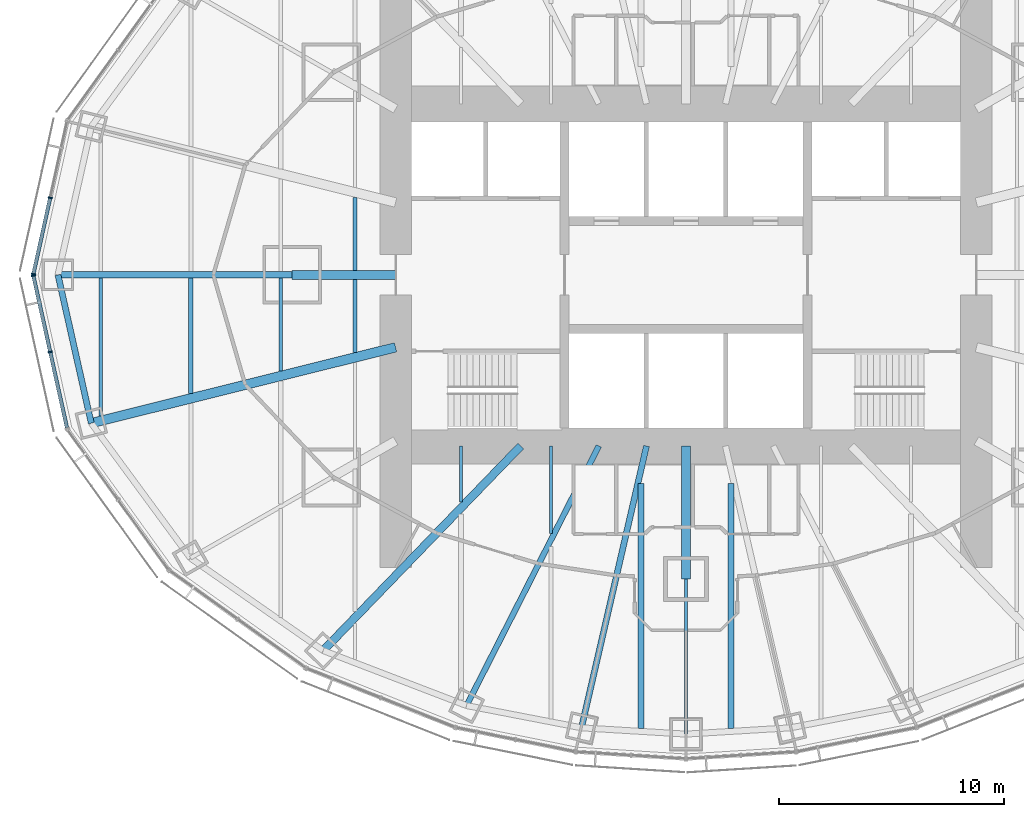
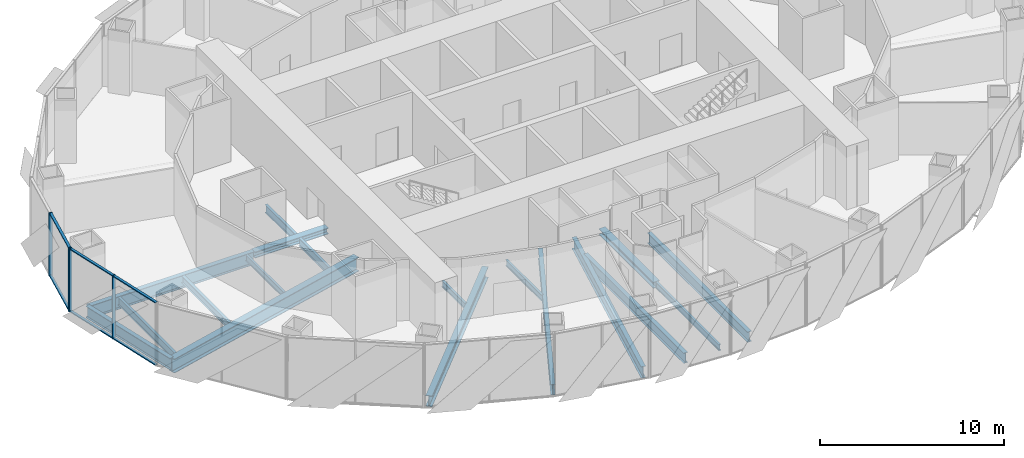
# One storey, part 3 of 18: 18 beams, 10 members, 2 elements without a shape of their own.
"""IFC4 building model written with IfcOpenShell, lengths in metres."""

from ifc_helpers import new_model, si_unit, direction, frame, origin, origin_2d, place, context, subcontext, project, spatial, rectangle, i_section, extrude, material, material_profile, profile_set, type_object, element, aggregate, save


model = new_model("IFC4")

# Units and contexts
model_context = context("Model", 3, precision=1e-05, world=origin(), true_north=direction((0.0, 1.0)))
body_context = subcontext(model_context, "Body", "Model", "MODEL_VIEW")
ifc_project = project(units=[si_unit("LENGTHUNIT", "METRE"), si_unit("AREAUNIT", "SQUARE_METRE"), si_unit("VOLUMEUNIT", "CUBIC_METRE"), si_unit("PLANEANGLEUNIT", "RADIAN"), si_unit("MASSUNIT", "GRAM", prefix="KILO")], contexts=[model_context])

# Site, building, storey
site_placement = place(None, origin())
site = spatial("IfcSite", under=ifc_project, at=site_placement, CompositionType="ELEMENT")
building_placement = place(site_placement, origin())
building = spatial("IfcBuilding", under=site, at=building_placement, Name="Lantaw Convention Tower", CompositionType="ELEMENT")
storey_placement = place(building_placement, frame((0.0, 0.0, 138.39990234375)))
storey = spatial("IfcBuildingStorey", under=building, at=storey_placement, Name="L32", CompositionType="ELEMENT", Elevation=138.39990234375)

# Beams
ifc_material_1 = material(Name="Steel ASTM A992", Category="steel")
ifc_material_profile_1 = material_profile(ifc_material_1, i_section(OverallWidth=0.2666015625, OverallDepth=0.76953125, WebThickness=0.015625, FlangeThickness=0.025390625, FilletRadius=0.0126953125, at=origin_2d()), Name="W30X132")
ifc_profile_set_1 = profile_set([ifc_material_profile_1], Name="Steel ASTM A992")
beam_type_1 = type_object("IfcBeamType", Name="Beam E W30X132", PredefinedType="SPANDREL", material=ifc_profile_set_1)
beam_1_placement = place(storey_placement, frame((-27.89990234375, 0.0, -0.53466796875), z_axis=(0.219211877447, -0.975677279015, 0.0), x_axis=(0.975677279015, 0.219211877447, 0.0)))
element("IfcBeam", 1, at=beam_1_placement, inside=storey, type_object=beam_type_1, Name="Edge beam 13", PredefinedType="SPANDREL", context=body_context, shape_type="SweptSolid", body=[
    extrude(i_section(OverallWidth=0.2666015625, OverallDepth=0.76953125, WebThickness=0.015625, FlangeThickness=0.025390625, FilletRadius=0.0126953125, at=origin_2d()), origin(), (0.0, 0.0, 1.0), 6.75146484375),
])
ifc_material_profile_2 = material_profile(ifc_material_1, i_section(OverallWidth=0.140380859375, OverallDepth=0.40380859375, WebThickness=0.007080078125, FlangeThickness=0.01123046875, FilletRadius=0.01025390625, at=origin_2d()), Name="W16X31")
ifc_profile_set_2 = profile_set([ifc_material_profile_2], Name="Steel ASTM A992")
beam_type_2 = type_object("IfcBeamType", Name="Beam G W16X31", PredefinedType="BEAM", material=ifc_profile_set_2)
beam_2_placement = place(storey_placement, frame((0.0, -13.5, -0.351806640625), z_axis=(0.0, -1.0, 0.0), x_axis=(1.0, 0.0, 0.0)))
element("IfcBeam", 2, at=beam_2_placement, inside=storey, type_object=beam_type_2, Name="Floor girder on ray 19", PredefinedType="BEAM", context=body_context, shape_type="SweptSolid", body=[
    extrude(i_section(OverallWidth=0.140380859375, OverallDepth=0.40380859375, WebThickness=0.007080078125, FlangeThickness=0.01123046875, FilletRadius=0.01025390625, at=origin_2d()), origin(), (0.0, 0.0, 1.0), 6.89990234375),
])
ifc_material_profile_3 = material_profile(ifc_material_1, i_section(OverallWidth=0.25390625, OverallDepth=0.700927734375, WebThickness=0.015380859375, FlangeThickness=0.02783203125, FilletRadius=0.01513671875, at=origin_2d()), Name="W27X129")
ifc_profile_set_3 = profile_set([ifc_material_profile_3], Name="Steel ASTM A992")
beam_type_3 = type_object("IfcBeamType", Name="Beam G W27X129", PredefinedType="BEAM", material=ifc_profile_set_3)
beam_3_placement = place(storey_placement, frame((-3.872314453125, -7.60009765625, -0.50048828125), z_axis=(-0.453991051051, -0.891006243281, 0.0), x_axis=(0.891006243281, -0.453991051051, 0.0)))
element("IfcBeam", 3, at=beam_3_placement, inside=storey, type_object=beam_type_3, Name="Floor girder on ray 17", PredefinedType="BEAM", context=body_context, shape_type="SweptSolid", body=[
    extrude(i_section(OverallWidth=0.25390625, OverallDepth=0.700927734375, WebThickness=0.015380859375, FlangeThickness=0.02783203125, FilletRadius=0.01513671875, at=origin_2d()), origin(), (0.0, 0.0, 1.0), 12.943359375),
])
ifc_material_profile_4 = material_profile(ifc_material_1, i_section(OverallWidth=0.360595703125, OverallDepth=0.72900390625, WebThickness=0.023193359375, FlangeThickness=0.041015625, FilletRadius=0.0126953125, at=origin_2d()), Name="W27X235")
ifc_profile_set_4 = profile_set([ifc_material_profile_4], Name="Steel ASTM A992")
beam_type_4 = type_object("IfcBeamType", Name="Beam G W27X235", PredefinedType="BEAM", material=ifc_profile_set_4)
beam_4_placement = place(storey_placement, frame((-7.33935546875, -7.60009765625, -0.514404296875), z_axis=(-0.694663467407, -0.719334878239, 0.0), x_axis=(0.719334878239, -0.694663467407, 0.0)))
element("IfcBeam", 4, at=beam_4_placement, inside=storey, type_object=beam_type_4, Name="Floor girder on ray 16", PredefinedType="BEAM", context=body_context, shape_type="SweptSolid", body=[
    extrude(i_section(OverallWidth=0.360595703125, OverallDepth=0.72900390625, WebThickness=0.023193359375, FlangeThickness=0.041015625, FilletRadius=0.0126953125, at=origin_2d()), origin(), (0.0, 0.0, 1.0), 12.63671875),
])
ifc_material_profile_5 = material_profile(ifc_material_1, i_section(OverallWidth=0.2666015625, OverallDepth=0.7568359375, WebThickness=0.013916015625, FlangeThickness=0.019287109375, FilletRadius=0.0126953125, at=origin_2d()), Name="W30X108")
ifc_profile_set_5 = profile_set([ifc_material_profile_5], Name="Steel ASTM A992")
beam_type_5 = type_object("IfcBeamType", Name="Beam G W30X108", PredefinedType="BEAM", material=ifc_profile_set_5)
beam_5_placement = place(storey_placement, frame((-1.754638671875, -7.60009765625, -0.5283203125), z_axis=(-0.224944153104, -0.974371658036, 0.0), x_axis=(0.974371658036, -0.224944153104, 0.0)))
element("IfcBeam", 5, at=beam_5_placement, inside=storey, type_object=beam_type_5, Name="Floor girder on ray 18", PredefinedType="BEAM", context=body_context, shape_type="SweptSolid", body=[
    extrude(i_section(OverallWidth=0.2666015625, OverallDepth=0.7568359375, WebThickness=0.013916015625, FlangeThickness=0.019287109375, FilletRadius=0.0126953125, at=origin_2d()), origin(), (0.0, 0.0, 1.0), 12.849365234375),
])
ifc_material_profile_6 = material_profile(ifc_material_1, i_section(OverallWidth=0.2919921875, OverallDepth=0.845703125, WebThickness=0.015380859375, FlangeThickness=0.0244140625, FilletRadius=0.01513671875, at=origin_2d()), Name="W33X141")
ifc_profile_set_6 = profile_set([ifc_material_profile_6], Name="Steel ASTM A992")
beam_type_6 = type_object("IfcBeamType", Name="Beam G W33X141", PredefinedType="BEAM", material=ifc_profile_set_6)
beam_6_placement = place(storey_placement, frame((-17.5, 0.0, -0.57275390625), z_axis=(-1.0, 0.0, 0.0), x_axis=(0.0, -1.0, 0.0)))
element("IfcBeam", 6, at=beam_6_placement, inside=storey, type_object=beam_type_6, Name="Floor girder on ray 13", PredefinedType="BEAM", context=body_context, shape_type="SweptSolid", body=[
    extrude(i_section(OverallWidth=0.2919921875, OverallDepth=0.845703125, WebThickness=0.015380859375, FlangeThickness=0.0244140625, FilletRadius=0.01513671875, at=origin_2d()), origin(), (0.0, 0.0, 1.0), 10.39990234375),
])
ifc_material_profile_7 = material_profile(ifc_material_1, i_section(OverallWidth=0.421630859375, OverallDepth=0.937255859375, WebThickness=0.0224609375, FlangeThickness=0.039794921875, FilletRadius=0.02001953125, at=origin_2d()), Name="W36X282")
ifc_profile_set_7 = profile_set([ifc_material_profile_7], Name="Steel ASTM A992")
beam_type_7 = type_object("IfcBeamType", Name="Beam G W36X282", PredefinedType="BEAM", material=ifc_profile_set_7)
beam_7_placement = place(storey_placement, frame((-12.89990234375, -3.21630859375, -0.61865234375), z_axis=(-0.970296903132, -0.24191717544, 0.0), x_axis=(0.24191717544, -0.970296903132, 0.0)))
element("IfcBeam", 7, at=beam_7_placement, inside=storey, type_object=beam_type_7, Name="Floor girder on ray 14", PredefinedType="BEAM", context=body_context, shape_type="SweptSolid", body=[
    extrude(i_section(OverallWidth=0.421630859375, OverallDepth=0.937255859375, WebThickness=0.0224609375, FlangeThickness=0.039794921875, FilletRadius=0.02001953125, at=origin_2d()), origin(), (0.0, 0.0, 1.0), 13.933837890625),
])
ifc_material_profile_8 = material_profile(ifc_material_1, i_section(OverallWidth=0.40380859375, OverallDepth=0.406494140625, WebThickness=0.027099609375, FlangeThickness=0.043701171875, FilletRadius=0.01513671875, at=origin_2d()), Name="W14X233")
ifc_profile_set_8 = profile_set([ifc_material_profile_8], Name="Steel ASTM A992")
beam_type_8 = type_object("IfcBeamType", Name="Beam GM W14X233", PredefinedType="BEAM", material=ifc_profile_set_8)
beam_8_placement = place(storey_placement, frame((-12.89990234375, 0.0, -0.35302734375), z_axis=(-1.0, 0.0, 0.0), x_axis=(0.0, -1.0, 0.0)))
element("IfcBeam", 8, at=beam_8_placement, inside=storey, type_object=beam_type_8, Name="Core link beam on ray 13", PredefinedType="BEAM", context=body_context, shape_type="SweptSolid", body=[
    extrude(i_section(OverallWidth=0.40380859375, OverallDepth=0.406494140625, WebThickness=0.027099609375, FlangeThickness=0.043701171875, FilletRadius=0.01513671875, at=origin_2d()), origin(), (0.0, 0.0, 1.0), 4.60009765625),
])
beam_9_placement = place(storey_placement, frame((0.0, -7.60009765625, -0.35302734375), z_axis=(0.0, -1.0, 0.0), x_axis=(1.0, 0.0, 0.0)))
element("IfcBeam", 9, at=beam_9_placement, inside=storey, type_object=beam_type_8, Name="Core link beam on ray 19", PredefinedType="BEAM", context=body_context, shape_type="SweptSolid", body=[
    extrude(i_section(OverallWidth=0.40380859375, OverallDepth=0.406494140625, WebThickness=0.027099609375, FlangeThickness=0.043701171875, FilletRadius=0.01513671875, at=origin_2d()), origin(), (0.0, 0.0, 1.0), 5.89990234375),
])
ifc_material_profile_9 = material_profile(ifc_material_1, i_section(OverallWidth=0.140380859375, OverallDepth=0.40380859375, WebThickness=0.007080078125, FlangeThickness=0.01123046875, FilletRadius=0.01025390625, at=origin_2d()), Name="W16X31")
ifc_profile_set_9 = profile_set([ifc_material_profile_9], Name="Steel ASTM A992")
beam_type_9 = type_object("IfcBeamType", Name="Beam J W16X31", PredefinedType="JOIST", material=ifc_profile_set_9)
beam_10_placement = place(storey_placement, frame((-18.0, -4.270751953125, -0.351806640625), z_axis=(0.0, 1.0, 0.0), x_axis=(-1.0, 0.0, 0.0)))
element("IfcBeam", 10, at=beam_10_placement, inside=storey, type_object=beam_type_9, Name="Floor joist", PredefinedType="JOIST", context=body_context, shape_type="SweptSolid", body=[
    extrude(i_section(OverallWidth=0.140380859375, OverallDepth=0.40380859375, WebThickness=0.007080078125, FlangeThickness=0.01123046875, FilletRadius=0.01025390625, at=origin_2d()), origin(), (0.0, 0.0, 1.0), 4.124755859375),
])
beam_11_placement = place(storey_placement, frame((-10.0, -10.095703125, -0.351806640625), z_axis=(0.0, 1.0, 0.0), x_axis=(-1.0, 0.0, 0.0)))
element("IfcBeam", 11, at=beam_11_placement, inside=storey, type_object=beam_type_9, Name="Floor joist", PredefinedType="JOIST", context=body_context, shape_type="SweptSolid", body=[
    extrude(i_section(OverallWidth=0.140380859375, OverallDepth=0.40380859375, WebThickness=0.007080078125, FlangeThickness=0.01123046875, FilletRadius=0.01025390625, at=origin_2d()), origin(), (0.0, 0.0, 1.0), 2.49560546875),
])
beam_12_placement = place(storey_placement, frame((-6.0, -11.495849609375, -0.351806640625), z_axis=(0.0, 1.0, 0.0), x_axis=(-1.0, 0.0, 0.0)))
element("IfcBeam", 12, at=beam_12_placement, inside=storey, type_object=beam_type_9, Name="Floor joist", PredefinedType="JOIST", context=body_context, shape_type="SweptSolid", body=[
    extrude(i_section(OverallWidth=0.140380859375, OverallDepth=0.40380859375, WebThickness=0.007080078125, FlangeThickness=0.01123046875, FilletRadius=0.01025390625, at=origin_2d()), origin(), (0.0, 0.0, 1.0), 3.895751953125),
])
ifc_material_profile_10 = material_profile(ifc_material_1, i_section(OverallWidth=0.1904296875, OverallDepth=0.457275390625, WebThickness=0.009033203125, FlangeThickness=0.014404296875, FilletRadius=0.01025390625, at=origin_2d()), Name="W18X50")
ifc_profile_set_10 = profile_set([ifc_material_profile_10], Name="Steel ASTM A992")
beam_type_10 = type_object("IfcBeamType", Name="Beam J W18X50", PredefinedType="JOIST", material=ifc_profile_set_10)
beam_13_placement = place(storey_placement, frame((-22.0, -5.267822265625, -0.37841796875), z_axis=(0.0, 1.0, 0.0), x_axis=(-1.0, 0.0, 0.0)))
element("IfcBeam", 13, at=beam_13_placement, inside=storey, type_object=beam_type_10, Name="Floor joist", PredefinedType="JOIST", context=body_context, shape_type="SweptSolid", body=[
    extrude(i_section(OverallWidth=0.1904296875, OverallDepth=0.457275390625, WebThickness=0.009033203125, FlangeThickness=0.014404296875, FilletRadius=0.01025390625, at=origin_2d()), origin(), (0.0, 0.0, 1.0), 5.121826171875),
])
ifc_material_profile_11 = material_profile(ifc_material_1, i_section(OverallWidth=0.1650390625, OverallDepth=0.52587890625, WebThickness=0.0087890625, FlangeThickness=0.011474609375, FilletRadius=0.0126953125, at=origin_2d()), Name="W21X44")
ifc_profile_set_11 = profile_set([ifc_material_profile_11], Name="Steel ASTM A992")
beam_type_11 = type_object("IfcBeamType", Name="Beam J W21X44", PredefinedType="JOIST", material=ifc_profile_set_11)
beam_14_placement = place(storey_placement, frame((-26.0, -6.26513671875, -0.412841796875), z_axis=(0.0, 1.0, 0.0), x_axis=(-1.0, 0.0, 0.0)))
element("IfcBeam", 14, at=beam_14_placement, inside=storey, type_object=beam_type_11, Name="Floor joist", PredefinedType="JOIST", context=body_context, shape_type="SweptSolid", body=[
    extrude(i_section(OverallWidth=0.1650390625, OverallDepth=0.52587890625, WebThickness=0.0087890625, FlangeThickness=0.011474609375, FilletRadius=0.0126953125, at=origin_2d()), origin(), (0.0, 0.0, 1.0), 6.119140625),
])
ifc_material_profile_12 = material_profile(ifc_material_1, i_section(OverallWidth=0.165771484375, OverallDepth=0.5283203125, WebThickness=0.009765625, FlangeThickness=0.013671875, FilletRadius=0.012939453125, at=origin_2d()), Name="W21X50")
ifc_profile_set_12 = profile_set([ifc_material_profile_12], Name="Steel ASTM A992")
beam_type_12 = type_object("IfcBeamType", Name="Beam J W21X50", PredefinedType="JOIST", material=ifc_profile_set_12)
for number, where, z_axis, x_axis, name in (
    (15, (-14.699951171875, -3.44775390625, -0.4140625), (0.0, 1.0, 0.0), (-1.0, 0.0, 0.0), "Floor joist"),
    (16, (-14.699951171875, 0.201904296875, -0.4140625), (0.0, 1.0, 0.0), (-1.0, 0.0, 0.0), "Floor joist"),
):
    element("IfcBeam", number, at=place(storey_placement, frame(where, z_axis=z_axis, x_axis=x_axis)), inside=storey, type_object=beam_type_12, Name=name, PredefinedType="JOIST", context=body_context, shape_type="SweptSolid", body=[
        extrude(i_section(OverallWidth=0.165771484375, OverallDepth=0.5283203125, WebThickness=0.009765625, FlangeThickness=0.013671875, FilletRadius=0.012939453125, at=origin_2d()), origin(), (0.0, 0.0, 1.0), 3.245849609375),
    ])
ifc_material_profile_13 = material_profile(ifc_material_1, i_section(OverallWidth=0.25390625, OverallDepth=0.683349609375, WebThickness=0.012451171875, FlangeThickness=0.01904296875, FilletRadius=0.01513671875, at=origin_2d()), Name="W27X94")
ifc_profile_set_13 = profile_set([ifc_material_profile_13], Name="Steel ASTM A992")
beam_type_13 = type_object("IfcBeamType", Name="Beam J W27X94", PredefinedType="JOIST", material=ifc_profile_set_13)
for number, where, z_axis, x_axis, name in (
    (17, (-2.0, -20.145751953125, -0.491455078125), (0.0, 1.0, 0.0), (-1.0, 0.0, 0.0), "Floor joist"),
    (18, (2.0, -20.145751953125, -0.491455078125), (0.0, 1.0, 0.0), (-1.0, 0.0, 0.0), "Floor joist"),
):
    element("IfcBeam", number, at=place(storey_placement, frame(where, z_axis=z_axis, x_axis=x_axis)), inside=storey, type_object=beam_type_13, Name=name, PredefinedType="JOIST", context=body_context, shape_type="SweptSolid", body=[
        extrude(i_section(OverallWidth=0.25390625, OverallDepth=0.683349609375, WebThickness=0.012451171875, FlangeThickness=0.01904296875, FilletRadius=0.01513671875, at=origin_2d()), origin(), (0.0, 0.0, 1.0), 10.889892578125),
    ])

# Curtain wall, members
ifc_material_2 = material(Name="Aluminium framed curtain wall", Category="aluminium")
curtain_wall_type = type_object("IfcCurtainWallType", Name="Office curtain wall low rise, pale aluminium", PredefinedType="USERDEFINED", material=ifc_material_2)
curtain_wall_1_placement = place(storey_placement, origin())
curtain_wall_1 = element("IfcCurtainWall", 19, at=curtain_wall_1_placement, inside=storey, type_object=curtain_wall_type, Name="Office curtain wall low rise, pale aluminium L32", ObjectType="UNITISED CURTAIN WALL", PredefinedType="USERDEFINED")
ifc_material_3 = material(Name="Aluminium 6063-T6", Category="aluminium")
ifc_material_profile_14 = material_profile(ifc_material_3, rectangle(XDim=0.199951171875, YDim=0.06494140625, at=origin_2d()), Name="CW-O1 mullion 65x200")
ifc_profile_set_14 = profile_set([ifc_material_profile_14], Name="Aluminium 6063-T6")
member_type_1 = type_object("IfcMemberType", Name="CW-O1 mullion 65x200", PredefinedType="MULLION", material=ifc_profile_set_14)
member_1_placement = place(storey_placement, frame((-28.24365234375, 3.4267578125, -0.14990234375), z_axis=(0.0, 0.0, 1.0), x_axis=(0.9764936509, -0.215546166174, 0.0)))
member_1 = element("IfcMember", 20, at=member_1_placement, type_object=member_type_1, Name="CW-O1 mullion 2", PredefinedType="MULLION", context=body_context, shape_type="SweptSolid", body=[
    extrude(rectangle(XDim=0.199951171875, YDim=0.06494140625, at=origin_2d()), origin(), (0.0, 0.0, 1.0), 4.199951171875),
])
member_2_placement = place(storey_placement, frame((-28.992919921875, 0.03173828125, -0.14990234375), z_axis=(0.0, 0.0, 1.0), x_axis=(0.9764936509, -0.215546166174, 0.0)))
member_2 = element("IfcMember", 21, at=member_2_placement, type_object=member_type_1, Name="CW-O1 mullion 3", PredefinedType="MULLION", context=body_context, shape_type="SweptSolid", body=[
    extrude(rectangle(XDim=0.199951171875, YDim=0.06494140625, at=origin_2d()), origin(), (0.0, 0.0, 1.0), 4.199951171875),
])

curtain_wall_2_placement = place(storey_placement, origin())
curtain_wall_2 = element("IfcCurtainWall", 22, at=curtain_wall_2_placement, inside=storey, type_object=curtain_wall_type, Name="Office curtain wall low rise, pale aluminium L32", ObjectType="UNITISED CURTAIN WALL", PredefinedType="USERDEFINED")
member_3_placement = place(storey_placement, frame((-28.992919921875, -0.03173828125, -0.14990234375), z_axis=(0.0, 0.0, 1.0), x_axis=(0.9764936509, 0.215546166174, 0.0)))
member_3 = element("IfcMember", 23, at=member_3_placement, type_object=member_type_1, Name="CW-O1 mullion 1", PredefinedType="MULLION", context=body_context, shape_type="SweptSolid", body=[
    extrude(rectangle(XDim=0.199951171875, YDim=0.06494140625, at=origin_2d()), origin(), (0.0, 0.0, 1.0), 4.199951171875),
])
member_4_placement = place(storey_placement, frame((-28.24365234375, -3.4267578125, -0.14990234375), z_axis=(0.0, 0.0, 1.0), x_axis=(0.9764936509, 0.215546166174, 0.0)))
member_4 = element("IfcMember", 24, at=member_4_placement, type_object=member_type_1, Name="CW-O1 mullion 2", PredefinedType="MULLION", context=body_context, shape_type="SweptSolid", body=[
    extrude(rectangle(XDim=0.199951171875, YDim=0.06494140625, at=origin_2d()), origin(), (0.0, 0.0, 1.0), 4.199951171875),
])

# Member
ifc_material_profile_15 = material_profile(ifc_material_3, rectangle(XDim=0.159912109375, YDim=0.06494140625, at=origin_2d()), Name="CW-O1 transom 65x160")
ifc_profile_set_15 = profile_set([ifc_material_profile_15], Name="Aluminium 6063-T6")
member_type_2 = type_object("IfcMemberType", Name="CW-O1 transom 65x160", PredefinedType="USERDEFINED", material=ifc_profile_set_15)
member_5_placement = place(storey_placement, frame((-28.250732421875, 3.39501953125, -0.117431640625), z_axis=(-0.215536096386, -0.976495873598, 0.0), x_axis=(0.976495873598, -0.215536096386, 0.0)))
member_5 = element("IfcMember", 25, at=member_5_placement, type_object=member_type_2, Name="CW-O1 transom 2.1", ObjectType="TRANSOM", PredefinedType="USERDEFINED", context=body_context, shape_type="SweptSolid", body=[
    extrude(rectangle(XDim=0.159912109375, YDim=0.06494140625, at=origin_2d()), origin(), (0.0, 0.0, 1.0), 3.41162109375),
])

member_6_placement = place(storey_placement, frame((-28.250732421875, 3.39501953125, 4.017578125), z_axis=(-0.215536096386, -0.976495873598, 0.0), x_axis=(0.976495873598, -0.215536096386, 0.0)))
member_6 = element("IfcMember", 26, at=member_6_placement, type_object=member_type_2, Name="CW-O1 transom 2.2", ObjectType="TRANSOM", PredefinedType="USERDEFINED", context=body_context, shape_type="SweptSolid", body=[
    extrude(rectangle(XDim=0.159912109375, YDim=0.06494140625, at=origin_2d()), origin(), (0.0, 0.0, 1.0), 3.41162109375),
])

aggregate(curtain_wall_1, [member_1, member_2, member_5, member_6])

member_7_placement = place(storey_placement, frame((-28.986083984375, -0.0634765625, -0.117431640625), z_axis=(0.215536096386, -0.976495873598, 0.0), x_axis=(0.976495873598, 0.215536096386, 0.0)))
member_7 = element("IfcMember", 27, at=member_7_placement, type_object=member_type_2, Name="CW-O1 transom 1.1", ObjectType="TRANSOM", PredefinedType="USERDEFINED", context=body_context, shape_type="SweptSolid", body=[
    extrude(rectangle(XDim=0.159912109375, YDim=0.06494140625, at=origin_2d()), origin(), (0.0, 0.0, 1.0), 3.41162109375),
])

member_8_placement = place(storey_placement, frame((-28.986083984375, -0.0634765625, 4.017578125), z_axis=(0.215536096386, -0.976495873598, 0.0), x_axis=(0.976495873598, 0.215536096386, 0.0)))
member_8 = element("IfcMember", 28, at=member_8_placement, type_object=member_type_2, Name="CW-O1 transom 1.2", ObjectType="TRANSOM", PredefinedType="USERDEFINED", context=body_context, shape_type="SweptSolid", body=[
    extrude(rectangle(XDim=0.159912109375, YDim=0.06494140625, at=origin_2d()), origin(), (0.0, 0.0, 1.0), 3.41162109375),
])

member_9_placement = place(storey_placement, frame((-28.236572265625, -3.45849609375, -0.117431640625), z_axis=(0.21555115847, -0.976492548913, 0.0), x_axis=(0.976492548913, 0.21555115847, 0.0)))
member_9 = element("IfcMember", 29, at=member_9_placement, type_object=member_type_2, Name="CW-O1 transom 2.1", ObjectType="TRANSOM", PredefinedType="USERDEFINED", context=body_context, shape_type="SweptSolid", body=[
    extrude(rectangle(XDim=0.159912109375, YDim=0.06494140625, at=origin_2d()), origin(), (0.0, 0.0, 1.0), 3.411376953125),
])

member_10_placement = place(storey_placement, frame((-28.236572265625, -3.45849609375, 4.017578125), z_axis=(0.21555115847, -0.976492548913, 0.0), x_axis=(0.976492548913, 0.21555115847, 0.0)))
member_10 = element("IfcMember", 30, at=member_10_placement, type_object=member_type_2, Name="CW-O1 transom 2.2", ObjectType="TRANSOM", PredefinedType="USERDEFINED", context=body_context, shape_type="SweptSolid", body=[
    extrude(rectangle(XDim=0.159912109375, YDim=0.06494140625, at=origin_2d()), origin(), (0.0, 0.0, 1.0), 3.411376953125),
])

aggregate(curtain_wall_2, [member_3, member_4, member_7, member_8, member_9, member_10])

save(model, "model.ifc")
